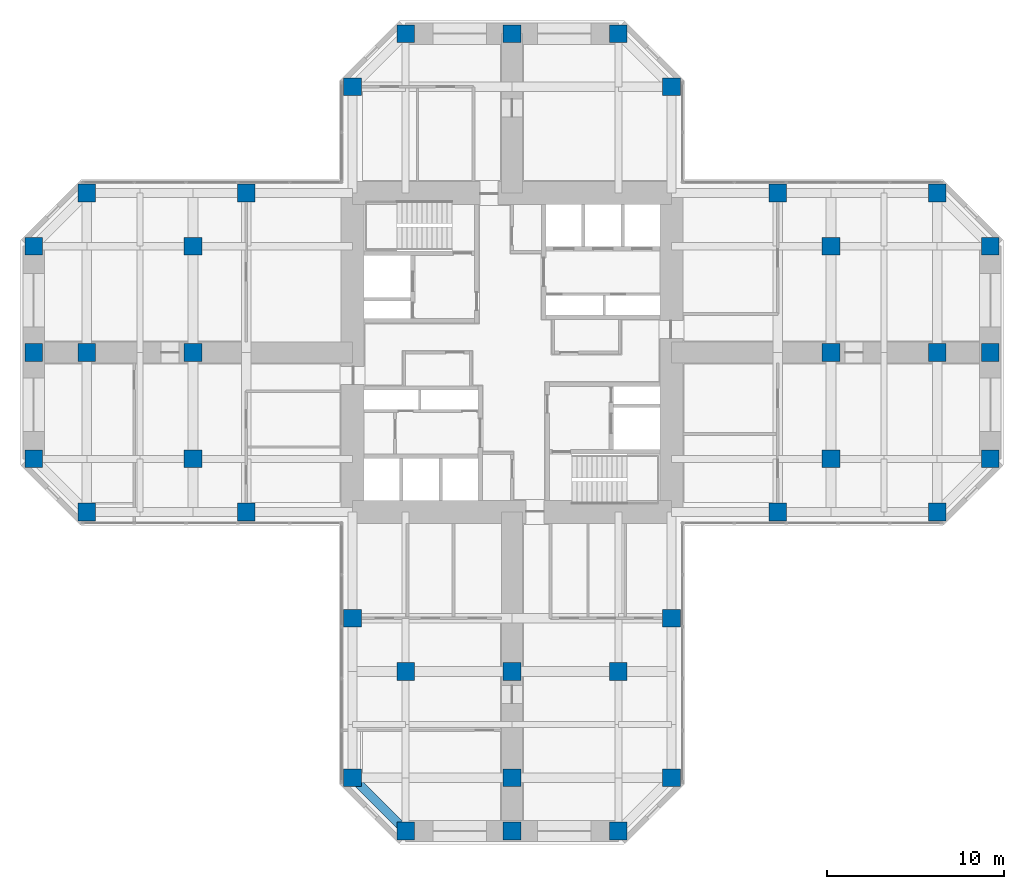
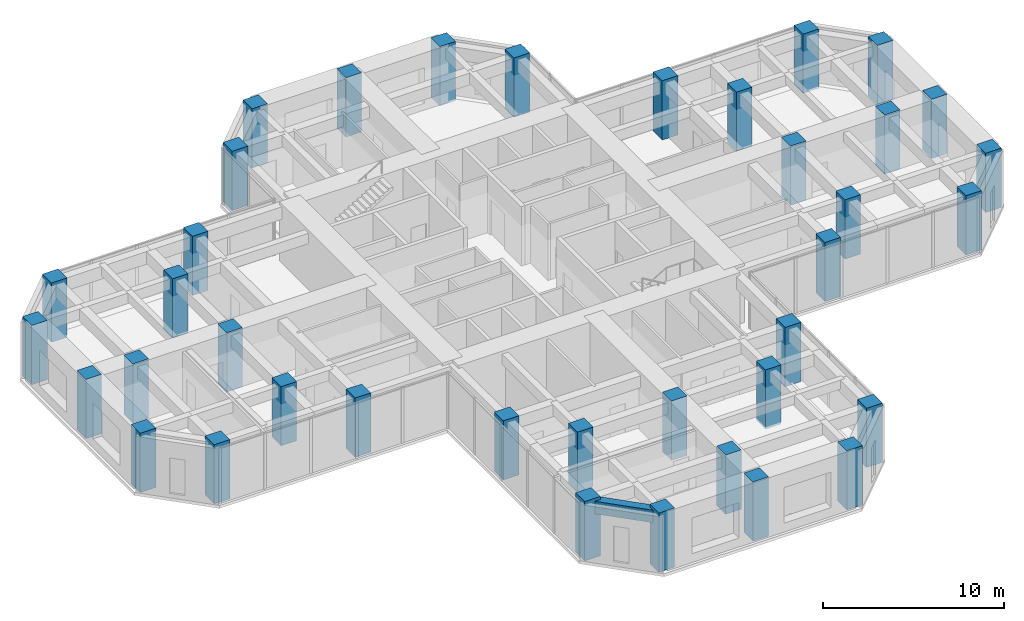
# One storey, part 1 of 12: 38 columns, 1 beam.
"""IFC4 building model written with IfcOpenShell, lengths in metres."""

from ifc_helpers import new_model, si_unit, direction, frame, origin, origin_2d, place, context, subcontext, project, spatial, rectangle, extrude, material, material_profile, profile_set, type_object, element, save


model = new_model("IFC4")

# Units and contexts
model_context = context("Model", 3, precision=1e-05, world=origin(), true_north=direction((0.0, 1.0)))
body_context = subcontext(model_context, "Body", "Model", "MODEL_VIEW")
ifc_project = project(units=[si_unit("LENGTHUNIT", "METRE"), si_unit("AREAUNIT", "SQUARE_METRE"), si_unit("VOLUMEUNIT", "CUBIC_METRE"), si_unit("PLANEANGLEUNIT", "RADIAN"), si_unit("MASSUNIT", "GRAM", prefix="KILO")], contexts=[model_context])

# Site, building, storey
site_placement = place(None, origin())
site = spatial("IfcSite", under=ifc_project, at=site_placement, CompositionType="ELEMENT")
building_placement = place(site_placement, origin())
building = spatial("IfcBuilding", under=site, at=building_placement, Name="Torre Cruceta", CompositionType="ELEMENT")
storey_placement = place(building_placement, frame((0.0, 0.0, 136.5)))
storey = spatial("IfcBuildingStorey", under=building, at=storey_placement, Name="L33", CompositionType="ELEMENT", Elevation=136.5)

# Columns
ifc_material_1 = material(Name="Concrete G60 (fck 60 MPa)", Category="concrete")
ifc_material_profile_1 = material_profile(ifc_material_1, rectangle(XDim=1.0, YDim=1.0, at=origin_2d()), Name="RC 1000X1000")
ifc_profile_set_1 = profile_set([ifc_material_profile_1], Name="Concrete G60 (fck 60 MPa)")
column_type = type_object("IfcColumnType", Name="COLUMN RC 1000X1000", PredefinedType="COLUMN", material=ifc_profile_set_1)
for number, where, z_axis, x_axis, name in (
    (1, (9.0, 15.0, 0.0), (0.0, 0.0, 1.0), (1.0, 0.0, 0.0), "C5 L33 N chamfer"),
    (2, (-9.0, 15.0, 0.0), (0.0, 0.0, 1.0), (1.0, 0.0, 0.0), "C5 L33 N chamfer"),
    (3, (6.0, 18.0, 0.0), (0.0, 0.0, 1.0), (1.0, 0.0, 0.0), "C5 L33 N tip"),
    (4, (0.0, 18.0, 0.0), (0.0, 0.0, 1.0), (1.0, 0.0, 0.0), "C5 L33 N tip"),
    (5, (-6.0, 18.0, 0.0), (0.0, 0.0, 1.0), (1.0, 0.0, 0.0), "C5 L33 N tip"),
    (6, (15.0, -9.0, 0.0), (0.0, 0.0, 1.0), (1.0, 0.0, 0.0), "C5 L33 E side"),
    (7, (24.0, -9.0, 0.0), (0.0, 0.0, 1.0), (1.0, 0.0, 0.0), "C5 L33 E chamfer"),
    (8, (15.0, 9.0, 0.0), (0.0, 0.0, 1.0), (1.0, 0.0, 0.0), "C5 L33 E side"),
    (9, (24.0, 9.0, 0.0), (0.0, 0.0, 1.0), (1.0, 0.0, 0.0), "C5 L33 E chamfer"),
    (10, (27.0, -6.0, 0.0), (0.0, 0.0, 1.0), (1.0, 0.0, 0.0), "C5 L33 E tip"),
    (11, (27.0, 0.0, 0.0), (0.0, 0.0, 1.0), (1.0, 0.0, 0.0), "C5 L33 E tip"),
    (12, (27.0, 6.0, 0.0), (0.0, 0.0, 1.0), (1.0, 0.0, 0.0), "C5 L33 E tip"),
    (13, (-9.0, -15.0, 0.0), (0.0, 0.0, 1.0), (1.0, 0.0, 0.0), "C5 L33 S side"),
    (14, (-9.0, -24.0, 0.0), (0.0, 0.0, 1.0), (1.0, 0.0, 0.0), "C5 L33 S chamfer"),
    (15, (9.0, -15.0, 0.0), (0.0, 0.0, 1.0), (1.0, 0.0, 0.0), "C5 L33 S side"),
    (16, (9.0, -24.0, 0.0), (0.0, 0.0, 1.0), (1.0, 0.0, 0.0), "C5 L33 S chamfer"),
    (17, (-6.0, -27.0, 0.0), (0.0, 0.0, 1.0), (1.0, 0.0, 0.0), "C5 L33 S tip"),
    (18, (0.0, -27.0, 0.0), (0.0, 0.0, 1.0), (1.0, 0.0, 0.0), "C5 L33 S tip"),
    (19, (6.0, -27.0, 0.0), (0.0, 0.0, 1.0), (1.0, 0.0, 0.0), "C5 L33 S tip"),
    (20, (-15.0, 9.0, 0.0), (0.0, 0.0, 1.0), (1.0, 0.0, 0.0), "C5 L33 W side"),
    (21, (-24.0, 9.0, 0.0), (0.0, 0.0, 1.0), (1.0, 0.0, 0.0), "C5 L33 W chamfer"),
    (22, (-15.0, -9.0, 0.0), (0.0, 0.0, 1.0), (1.0, 0.0, 0.0), "C5 L33 W side"),
    (23, (-24.0, -9.0, 0.0), (0.0, 0.0, 1.0), (1.0, 0.0, 0.0), "C5 L33 W chamfer"),
    (24, (-27.0, 6.0, 0.0), (0.0, 0.0, 1.0), (1.0, 0.0, 0.0), "C5 L33 W tip"),
    (25, (-27.0, 0.0, 0.0), (0.0, 0.0, 1.0), (1.0, 0.0, 0.0), "C5 L33 W tip"),
    (26, (-27.0, -6.0, 0.0), (0.0, 0.0, 1.0), (1.0, 0.0, 0.0), "C5 L33 W tip"),
    (27, (18.0, -6.0, 0.0), (0.0, 0.0, 1.0), (1.0, 0.0, 0.0), "C5 L33 E interior"),
    (28, (18.0, 0.0, 0.0), (0.0, 0.0, 1.0), (1.0, 0.0, 0.0), "C5 L33 E interior"),
    (29, (18.0, 6.0, 0.0), (0.0, 0.0, 1.0), (1.0, 0.0, 0.0), "C5 L33 E interior"),
    (30, (24.0, 0.0, 0.0), (0.0, 0.0, 1.0), (1.0, 0.0, 0.0), "C5 L33 E interior"),
    (31, (-6.0, -18.0, 0.0), (0.0, 0.0, 1.0), (1.0, 0.0, 0.0), "C5 L33 S interior"),
    (32, (0.0, -18.0, 0.0), (0.0, 0.0, 1.0), (1.0, 0.0, 0.0), "C5 L33 S interior"),
    (33, (6.0, -18.0, 0.0), (0.0, 0.0, 1.0), (1.0, 0.0, 0.0), "C5 L33 S interior"),
    (34, (0.0, -24.0, 0.0), (0.0, 0.0, 1.0), (1.0, 0.0, 0.0), "C5 L33 S interior"),
    (35, (-18.0, 6.0, 0.0), (0.0, 0.0, 1.0), (1.0, 0.0, 0.0), "C5 L33 W interior"),
    (36, (-18.0, 0.0, 0.0), (0.0, 0.0, 1.0), (1.0, 0.0, 0.0), "C5 L33 W interior"),
    (37, (-18.0, -6.0, 0.0), (0.0, 0.0, 1.0), (1.0, 0.0, 0.0), "C5 L33 W interior"),
    (38, (-24.0, 0.0, 0.0), (0.0, 0.0, 1.0), (1.0, 0.0, 0.0), "C5 L33 W interior"),
):
    element("IfcColumn", number, at=place(storey_placement, frame(where, z_axis=z_axis, x_axis=x_axis)), inside=storey, type_object=column_type, Name=name, PredefinedType="COLUMN", context=body_context, shape_type="SweptSolid", body=[
        extrude(rectangle(XDim=1.0, YDim=1.0, at=origin_2d()), origin(), (0.0, 0.0, 1.0), 4.0),
    ])

# Beam
ifc_material_2 = material(Name="Concrete G60 (fck 60 MPa)", Category="concrete")
ifc_material_profile_2 = material_profile(ifc_material_2, rectangle(XDim=0.5, YDim=0.85009765625, at=origin_2d()), Name="RC 500X850")
ifc_profile_set_2 = profile_set([ifc_material_profile_2], Name="Concrete G60 (fck 60 MPa)")
beam_type = type_object("IfcBeamType", Name="SPANDREL BEAM RC 500X850", PredefinedType="SPANDREL", material=ifc_profile_set_2)
beam_placement = place(storey_placement, frame((-9.0, -24.0, 3.375), z_axis=(0.707106781187, -0.707106781187, 0.0), x_axis=(0.707106781187, 0.707106781187, 0.0)))
element("IfcBeam", 39, at=beam_placement, inside=storey, type_object=beam_type, Name="SB5 L33 S side- 5", PredefinedType="SPANDREL", context=body_context, shape_type="SweptSolid", body=[
    extrude(rectangle(XDim=0.5, YDim=0.85009765625, at=origin_2d()), origin(), (0.0, 0.0, 1.0), 4.24267578125),
])

save(model, "model.ifc")
